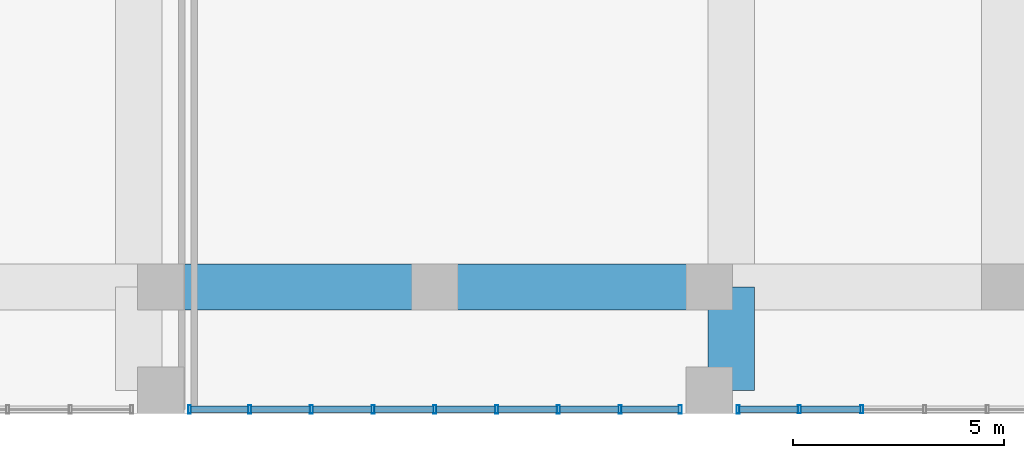
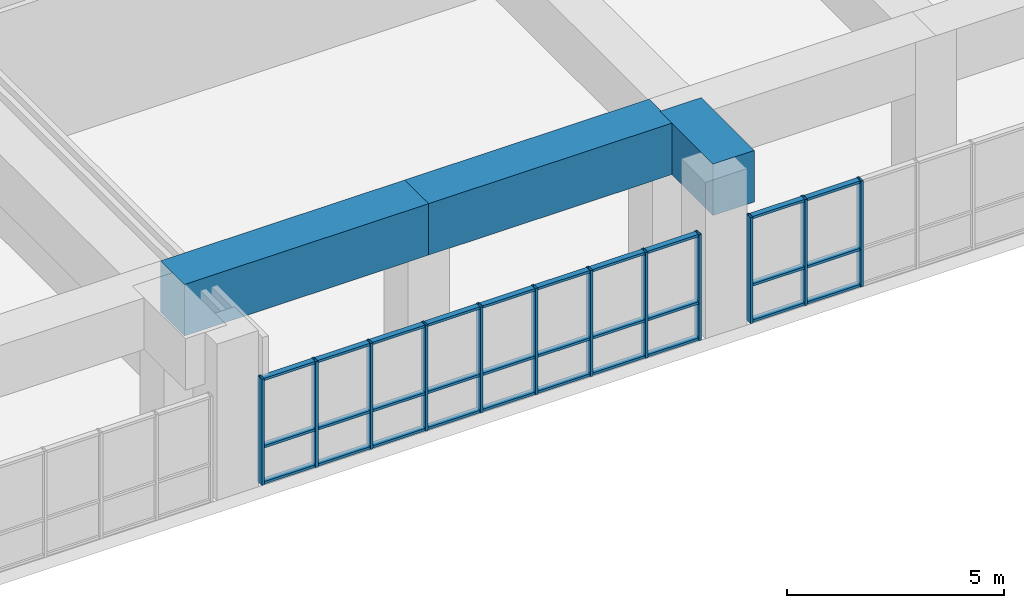
# One storey, part 6 of 28: 42 members, 3 beams, 2 elements without a shape of their own.
"""IFC4 building model written with IfcOpenShell, lengths in metres."""

from ifc_helpers import new_model, si_unit, direction, frame, origin, origin_2d, place, context, subcontext, project, spatial, rectangle, hollow_rectangle, extrude, source, transform, mapped, material, layer, layer_set, material_profile, profile_set, type_object, element, aggregate, save


model = new_model("IFC4")

# Units and contexts
model_context = context("Model", 3, precision=1e-05, world=origin(), true_north=direction((0.0, 1.0)))
body_context = subcontext(model_context, "Body", "Model", "MODEL_VIEW")
ifc_project = project(units=[si_unit("LENGTHUNIT", "METRE"), si_unit("AREAUNIT", "SQUARE_METRE"), si_unit("VOLUMEUNIT", "CUBIC_METRE"), si_unit("PLANEANGLEUNIT", "RADIAN"), si_unit("MASSUNIT", "GRAM", prefix="KILO")], contexts=[model_context])

# Site, building, storey
site_placement = place(None, origin())
site = spatial("IfcSite", under=ifc_project, at=site_placement, CompositionType="ELEMENT")
building_placement = place(site_placement, origin())
building = spatial("IfcBuilding", under=site, at=building_placement, Name="Saelheon Loggia Tower", CompositionType="ELEMENT")
storey_placement = place(building_placement, frame((0.0, 0.0, 15.0)))
storey = spatial("IfcBuildingStorey", under=building, at=storey_placement, Name="L04", CompositionType="ELEMENT", Elevation=15.0)

# Beams
ifc_material_1 = material(Name="Concrete C50/60", Category="concrete")
ifc_material_profile_1 = material_profile(ifc_material_1, rectangle(XDim=1.10009765625, YDim=1.449951171875, at=origin_2d()), Name="RC-1100x1450")
ifc_profile_set_1 = profile_set([ifc_material_profile_1], Name="Concrete C50/60")
beam_type = type_object("IfcBeamType", Name="Beam_Transfer_RC1100x1450", PredefinedType="BEAM", material=ifc_profile_set_1)
shared_shape_1 = source(origin(), body_context, "Body", "SweptSolid", [
    extrude(rectangle(XDim=1.10009765625, YDim=1.449951171875, at=origin_2d()), origin(), (0.0, 0.0, 1.0), 6.5),
])
for number, where, z_axis, x_axis, name in (
    (1, (31.5, 3.0, 3.675048828125), (1.0, 0.0, 0.0), (0.0, 1.0, 0.0), "BM-L04-EW-3-4"),
    (2, (38.0, 3.0, 3.675048828125), (1.0, 0.0, 0.0), (0.0, 1.0, 0.0), "BM-L04-EW-3-5"),
):
    element("IfcBeam", number, at=place(storey_placement, frame(where, z_axis=z_axis, x_axis=x_axis)), inside=storey, type_object=beam_type, Name=name, PredefinedType="BEAM", context=body_context, shape_type="MappedRepresentation", body=[
        mapped(shared_shape_1, transform((0.0, 0.0, 0.0), scale=1.0)),
    ])
shared_shape_2 = source(origin(), body_context, "Body", "SweptSolid", [
    extrude(rectangle(XDim=1.10009765625, YDim=1.449951171875, at=origin_2d()), origin(), (0.0, 0.0, 1.0), 2.449951171875),
])
beam_placement = place(storey_placement, frame((45.02001953125, 0.550048828125, 3.675048828125), z_axis=(0.0, 1.0, 0.0), x_axis=(-1.0, 0.0, 0.0)))
element("IfcBeam", 3, at=beam_placement, inside=storey, type_object=beam_type, Name="BM-L04-NS-45-1", PredefinedType="BEAM", context=body_context, shape_type="MappedRepresentation", body=[
    mapped(shared_shape_2, transform((0.0, 0.0, 0.0), scale=1.0)),
])

# Curtain wall, members
ifc_material_2 = material(Name="Aluminium 6063-T6 and Low-E IGU", Category="aluminium")
ifc_layer = layer(ifc_material_2, 0.179931640625)
ifc_layer_set = layer_set([ifc_layer], Name="Aluminium 6063-T6 and Low-E IGU")
curtain_wall_type = type_object("IfcCurtainWallType", Name="CW_PodiumClinic", PredefinedType="NOTDEFINED", material=ifc_layer_set)
curtain_wall_1_placement = place(storey_placement, origin())
curtain_wall_1 = element("IfcCurtainWall", 4, at=curtain_wall_1_placement, inside=storey, type_object=curtain_wall_type, Name="L04 South Clinic Curtain Wall 3", PredefinedType="NOTDEFINED")
ifc_material_3 = material(Name="Anodised Aluminium 6063-T6", Category="aluminium")
ifc_material_profile_2 = material_profile(ifc_material_3, hollow_rectangle(XDim=0.070068359375, YDim=0.14990234375, WallThickness=0.0048828125, at=origin_2d()), Name="RHS-150x70x5")
ifc_profile_set_2 = profile_set([ifc_material_profile_2], Name="Anodised Aluminium 6063-T6")
member_type_1 = type_object("IfcMemberType", Name="CW_PodiumClinic_Transom", PredefinedType="USERDEFINED", material=ifc_profile_set_2)
shared_shape_3 = source(origin(), body_context, "Body", "SweptSolid", [
    extrude(hollow_rectangle(XDim=0.070068359375, YDim=0.14990234375, WallThickness=0.0048828125, at=origin_2d()), origin(), (0.0, 0.0, 1.0), 1.4150390625),
])
member_1_placement = place(storey_placement, frame((46.669921875, 0.10009765625, 0.034912109375), z_axis=(1.0, 0.0, 0.0), x_axis=(0.0, 0.0, 1.0)))
member_1 = element("IfcMember", 5, at=member_1_placement, type_object=member_type_1, Name="CW1 transom 2.1", ObjectType="TRANSOM", PredefinedType="USERDEFINED", context=body_context, shape_type="MappedRepresentation", body=[
    mapped(shared_shape_3, transform((0.0, 0.0, 0.0), scale=1.0)),
])
member_2_placement = place(storey_placement, frame((46.669921875, 0.10009765625, 1.050048828125), z_axis=(1.0, 0.0, 0.0), x_axis=(0.0, 0.0, 1.0)))
member_2 = element("IfcMember", 6, at=member_2_placement, type_object=member_type_1, Name="CW1 transom 2.2", ObjectType="TRANSOM", PredefinedType="USERDEFINED", context=body_context, shape_type="MappedRepresentation", body=[
    mapped(shared_shape_3, transform((0.0, 0.0, 0.0), scale=1.0)),
])
member_3_placement = place(storey_placement, frame((46.669921875, 0.10009765625, 2.945068359375), z_axis=(1.0, 0.0, 0.0), x_axis=(0.0, 0.0, 1.0)))
member_3 = element("IfcMember", 7, at=member_3_placement, type_object=member_type_1, Name="CW1 transom 2.3", ObjectType="TRANSOM", PredefinedType="USERDEFINED", context=body_context, shape_type="MappedRepresentation", body=[
    mapped(shared_shape_3, transform((0.0, 0.0, 0.0), scale=1.0)),
])
shared_shape_4 = source(origin(), body_context, "Body", "SweptSolid", [
    extrude(hollow_rectangle(XDim=0.070068359375, YDim=0.14990234375, WallThickness=0.0048828125, at=origin_2d()), origin(), (0.0, 0.0, 1.0), 1.380126953125),
])
member_4_placement = place(storey_placement, frame((45.219970703125, 0.10009765625, 0.034912109375), z_axis=(1.0, 0.0, 0.0), x_axis=(0.0, 0.0, 1.0)))
member_4 = element("IfcMember", 8, at=member_4_placement, type_object=member_type_1, Name="CW1 transom 1.1", ObjectType="TRANSOM", PredefinedType="USERDEFINED", context=body_context, shape_type="MappedRepresentation", body=[
    mapped(shared_shape_4, transform((0.0, 0.0, 0.0), scale=1.0)),
])
member_5_placement = place(storey_placement, frame((45.219970703125, 0.10009765625, 1.050048828125), z_axis=(1.0, 0.0, 0.0), x_axis=(0.0, 0.0, 1.0)))
member_5 = element("IfcMember", 9, at=member_5_placement, type_object=member_type_1, Name="CW1 transom 1.2", ObjectType="TRANSOM", PredefinedType="USERDEFINED", context=body_context, shape_type="MappedRepresentation", body=[
    mapped(shared_shape_4, transform((0.0, 0.0, 0.0), scale=1.0)),
])
member_6_placement = place(storey_placement, frame((45.219970703125, 0.10009765625, 2.945068359375), z_axis=(1.0, 0.0, 0.0), x_axis=(0.0, 0.0, 1.0)))
member_6 = element("IfcMember", 10, at=member_6_placement, type_object=member_type_1, Name="CW1 transom 1.3", ObjectType="TRANSOM", PredefinedType="USERDEFINED", context=body_context, shape_type="MappedRepresentation", body=[
    mapped(shared_shape_4, transform((0.0, 0.0, 0.0), scale=1.0)),
])

curtain_wall_2_placement = place(storey_placement, origin())
curtain_wall_2 = element("IfcCurtainWall", 11, at=curtain_wall_2_placement, inside=storey, type_object=curtain_wall_type, Name="L04 South Clinic Curtain Wall 2", PredefinedType="NOTDEFINED")
shared_shape_5 = source(origin(), body_context, "Body", "SweptSolid", [
    extrude(hollow_rectangle(XDim=0.070068359375, YDim=0.14990234375, WallThickness=0.0048828125, at=origin_2d()), origin(), (0.0, 0.0, 1.0), 1.357421875),
])
member_7_placement = place(storey_placement, frame((32.219970703125, 0.10009765625, 0.034912109375), z_axis=(1.0, 0.0, 0.0), x_axis=(0.0, 0.0, 1.0)))
member_7 = element("IfcMember", 12, at=member_7_placement, type_object=member_type_1, Name="CW1 transom 1.1", ObjectType="TRANSOM", PredefinedType="USERDEFINED", context=body_context, shape_type="MappedRepresentation", body=[
    mapped(shared_shape_5, transform((0.0, 0.0, 0.0), scale=1.0)),
])
member_8_placement = place(storey_placement, frame((32.219970703125, 0.10009765625, 1.050048828125), z_axis=(1.0, 0.0, 0.0), x_axis=(0.0, 0.0, 1.0)))
member_8 = element("IfcMember", 13, at=member_8_placement, type_object=member_type_1, Name="CW1 transom 1.2", ObjectType="TRANSOM", PredefinedType="USERDEFINED", context=body_context, shape_type="MappedRepresentation", body=[
    mapped(shared_shape_5, transform((0.0, 0.0, 0.0), scale=1.0)),
])
member_9_placement = place(storey_placement, frame((32.219970703125, 0.10009765625, 2.945068359375), z_axis=(1.0, 0.0, 0.0), x_axis=(0.0, 0.0, 1.0)))
member_9 = element("IfcMember", 14, at=member_9_placement, type_object=member_type_1, Name="CW1 transom 1.3", ObjectType="TRANSOM", PredefinedType="USERDEFINED", context=body_context, shape_type="MappedRepresentation", body=[
    mapped(shared_shape_5, transform((0.0, 0.0, 0.0), scale=1.0)),
])
member_10_placement = place(storey_placement, frame((42.422607421875, 0.10009765625, 0.034912109375), z_axis=(1.0, 0.0, 0.0), x_axis=(0.0, 0.0, 1.0)))
member_10 = element("IfcMember", 15, at=member_10_placement, type_object=member_type_1, Name="CW1 transom 8.1", ObjectType="TRANSOM", PredefinedType="USERDEFINED", context=body_context, shape_type="MappedRepresentation", body=[
    mapped(shared_shape_5, transform((0.0, 0.0, 0.0), scale=1.0)),
])
member_11_placement = place(storey_placement, frame((42.422607421875, 0.10009765625, 1.050048828125), z_axis=(1.0, 0.0, 0.0), x_axis=(0.0, 0.0, 1.0)))
member_11 = element("IfcMember", 16, at=member_11_placement, type_object=member_type_1, Name="CW1 transom 8.2", ObjectType="TRANSOM", PredefinedType="USERDEFINED", context=body_context, shape_type="MappedRepresentation", body=[
    mapped(shared_shape_5, transform((0.0, 0.0, 0.0), scale=1.0)),
])
member_12_placement = place(storey_placement, frame((42.422607421875, 0.10009765625, 2.945068359375), z_axis=(1.0, 0.0, 0.0), x_axis=(0.0, 0.0, 1.0)))
member_12 = element("IfcMember", 17, at=member_12_placement, type_object=member_type_1, Name="CW1 transom 8.3", ObjectType="TRANSOM", PredefinedType="USERDEFINED", context=body_context, shape_type="MappedRepresentation", body=[
    mapped(shared_shape_5, transform((0.0, 0.0, 0.0), scale=1.0)),
])
shared_shape_6 = source(origin(), body_context, "Body", "SweptSolid", [
    extrude(hollow_rectangle(XDim=0.070068359375, YDim=0.14990234375, WallThickness=0.0048828125, at=origin_2d()), origin(), (0.0, 0.0, 1.0), 1.392578125),
])
member_13_placement = place(storey_placement, frame((33.6474609375, 0.10009765625, 0.034912109375), z_axis=(1.0, 0.0, 0.0), x_axis=(0.0, 0.0, 1.0)))
member_13 = element("IfcMember", 18, at=member_13_placement, type_object=member_type_1, Name="CW1 transom 2.1", ObjectType="TRANSOM", PredefinedType="USERDEFINED", context=body_context, shape_type="MappedRepresentation", body=[
    mapped(shared_shape_6, transform((0.0, 0.0, 0.0), scale=1.0)),
])
member_14_placement = place(storey_placement, frame((33.6474609375, 0.10009765625, 1.050048828125), z_axis=(1.0, 0.0, 0.0), x_axis=(0.0, 0.0, 1.0)))
member_14 = element("IfcMember", 19, at=member_14_placement, type_object=member_type_1, Name="CW1 transom 2.2", ObjectType="TRANSOM", PredefinedType="USERDEFINED", context=body_context, shape_type="MappedRepresentation", body=[
    mapped(shared_shape_6, transform((0.0, 0.0, 0.0), scale=1.0)),
])
member_15_placement = place(storey_placement, frame((33.6474609375, 0.10009765625, 2.945068359375), z_axis=(1.0, 0.0, 0.0), x_axis=(0.0, 0.0, 1.0)))
member_15 = element("IfcMember", 20, at=member_15_placement, type_object=member_type_1, Name="CW1 transom 2.3", ObjectType="TRANSOM", PredefinedType="USERDEFINED", context=body_context, shape_type="MappedRepresentation", body=[
    mapped(shared_shape_6, transform((0.0, 0.0, 0.0), scale=1.0)),
])
member_16_placement = place(storey_placement, frame((36.572509765625, 0.10009765625, 0.034912109375), z_axis=(1.0, 0.0, 0.0), x_axis=(0.0, 0.0, 1.0)))
member_16 = element("IfcMember", 21, at=member_16_placement, type_object=member_type_1, Name="CW1 transom 4.1", ObjectType="TRANSOM", PredefinedType="USERDEFINED", context=body_context, shape_type="MappedRepresentation", body=[
    mapped(shared_shape_6, transform((0.0, 0.0, 0.0), scale=1.0)),
])
member_17_placement = place(storey_placement, frame((36.572509765625, 0.10009765625, 1.050048828125), z_axis=(1.0, 0.0, 0.0), x_axis=(0.0, 0.0, 1.0)))
member_17 = element("IfcMember", 22, at=member_17_placement, type_object=member_type_1, Name="CW1 transom 4.2", ObjectType="TRANSOM", PredefinedType="USERDEFINED", context=body_context, shape_type="MappedRepresentation", body=[
    mapped(shared_shape_6, transform((0.0, 0.0, 0.0), scale=1.0)),
])
member_18_placement = place(storey_placement, frame((36.572509765625, 0.10009765625, 2.945068359375), z_axis=(1.0, 0.0, 0.0), x_axis=(0.0, 0.0, 1.0)))
member_18 = element("IfcMember", 23, at=member_18_placement, type_object=member_type_1, Name="CW1 transom 4.3", ObjectType="TRANSOM", PredefinedType="USERDEFINED", context=body_context, shape_type="MappedRepresentation", body=[
    mapped(shared_shape_6, transform((0.0, 0.0, 0.0), scale=1.0)),
])
member_19_placement = place(storey_placement, frame((38.034912109375, 0.10009765625, 0.034912109375), z_axis=(1.0, 0.0, 0.0), x_axis=(0.0, 0.0, 1.0)))
member_19 = element("IfcMember", 24, at=member_19_placement, type_object=member_type_1, Name="CW1 transom 5.1", ObjectType="TRANSOM", PredefinedType="USERDEFINED", context=body_context, shape_type="MappedRepresentation", body=[
    mapped(shared_shape_6, transform((0.0, 0.0, 0.0), scale=1.0)),
])
member_20_placement = place(storey_placement, frame((38.034912109375, 0.10009765625, 1.050048828125), z_axis=(1.0, 0.0, 0.0), x_axis=(0.0, 0.0, 1.0)))
member_20 = element("IfcMember", 25, at=member_20_placement, type_object=member_type_1, Name="CW1 transom 5.2", ObjectType="TRANSOM", PredefinedType="USERDEFINED", context=body_context, shape_type="MappedRepresentation", body=[
    mapped(shared_shape_6, transform((0.0, 0.0, 0.0), scale=1.0)),
])
member_21_placement = place(storey_placement, frame((38.034912109375, 0.10009765625, 2.945068359375), z_axis=(1.0, 0.0, 0.0), x_axis=(0.0, 0.0, 1.0)))
member_21 = element("IfcMember", 26, at=member_21_placement, type_object=member_type_1, Name="CW1 transom 5.3", ObjectType="TRANSOM", PredefinedType="USERDEFINED", context=body_context, shape_type="MappedRepresentation", body=[
    mapped(shared_shape_6, transform((0.0, 0.0, 0.0), scale=1.0)),
])
member_22_placement = place(storey_placement, frame((40.9599609375, 0.10009765625, 0.034912109375), z_axis=(1.0, 0.0, 0.0), x_axis=(0.0, 0.0, 1.0)))
member_22 = element("IfcMember", 27, at=member_22_placement, type_object=member_type_1, Name="CW1 transom 7.1", ObjectType="TRANSOM", PredefinedType="USERDEFINED", context=body_context, shape_type="MappedRepresentation", body=[
    mapped(shared_shape_6, transform((0.0, 0.0, 0.0), scale=1.0)),
])
member_23_placement = place(storey_placement, frame((40.9599609375, 0.10009765625, 1.050048828125), z_axis=(1.0, 0.0, 0.0), x_axis=(0.0, 0.0, 1.0)))
member_23 = element("IfcMember", 28, at=member_23_placement, type_object=member_type_1, Name="CW1 transom 7.2", ObjectType="TRANSOM", PredefinedType="USERDEFINED", context=body_context, shape_type="MappedRepresentation", body=[
    mapped(shared_shape_6, transform((0.0, 0.0, 0.0), scale=1.0)),
])
member_24_placement = place(storey_placement, frame((40.9599609375, 0.10009765625, 2.945068359375), z_axis=(1.0, 0.0, 0.0), x_axis=(0.0, 0.0, 1.0)))
member_24 = element("IfcMember", 29, at=member_24_placement, type_object=member_type_1, Name="CW1 transom 7.3", ObjectType="TRANSOM", PredefinedType="USERDEFINED", context=body_context, shape_type="MappedRepresentation", body=[
    mapped(shared_shape_6, transform((0.0, 0.0, 0.0), scale=1.0)),
])
shared_shape_7 = source(origin(), body_context, "Body", "SweptSolid", [
    extrude(hollow_rectangle(XDim=0.070068359375, YDim=0.14990234375, WallThickness=0.0048828125, at=origin_2d()), origin(), (0.0, 0.0, 1.0), 1.392333984375),
])
member_25_placement = place(storey_placement, frame((35.110107421875, 0.10009765625, 0.034912109375), z_axis=(1.0, 0.0, 0.0), x_axis=(0.0, 0.0, 1.0)))
member_25 = element("IfcMember", 30, at=member_25_placement, type_object=member_type_1, Name="CW1 transom 3.1", ObjectType="TRANSOM", PredefinedType="USERDEFINED", context=body_context, shape_type="MappedRepresentation", body=[
    mapped(shared_shape_7, transform((0.0, 0.0, 0.0), scale=1.0)),
])
member_26_placement = place(storey_placement, frame((35.110107421875, 0.10009765625, 1.050048828125), z_axis=(1.0, 0.0, 0.0), x_axis=(0.0, 0.0, 1.0)))
member_26 = element("IfcMember", 31, at=member_26_placement, type_object=member_type_1, Name="CW1 transom 3.2", ObjectType="TRANSOM", PredefinedType="USERDEFINED", context=body_context, shape_type="MappedRepresentation", body=[
    mapped(shared_shape_7, transform((0.0, 0.0, 0.0), scale=1.0)),
])
member_27_placement = place(storey_placement, frame((35.110107421875, 0.10009765625, 2.945068359375), z_axis=(1.0, 0.0, 0.0), x_axis=(0.0, 0.0, 1.0)))
member_27 = element("IfcMember", 32, at=member_27_placement, type_object=member_type_1, Name="CW1 transom 3.3", ObjectType="TRANSOM", PredefinedType="USERDEFINED", context=body_context, shape_type="MappedRepresentation", body=[
    mapped(shared_shape_7, transform((0.0, 0.0, 0.0), scale=1.0)),
])
member_28_placement = place(storey_placement, frame((39.49755859375, 0.10009765625, 0.034912109375), z_axis=(1.0, 0.0, 0.0), x_axis=(0.0, 0.0, 1.0)))
member_28 = element("IfcMember", 33, at=member_28_placement, type_object=member_type_1, Name="CW1 transom 6.1", ObjectType="TRANSOM", PredefinedType="USERDEFINED", context=body_context, shape_type="MappedRepresentation", body=[
    mapped(shared_shape_7, transform((0.0, 0.0, 0.0), scale=1.0)),
])
member_29_placement = place(storey_placement, frame((39.49755859375, 0.10009765625, 1.050048828125), z_axis=(1.0, 0.0, 0.0), x_axis=(0.0, 0.0, 1.0)))
member_29 = element("IfcMember", 34, at=member_29_placement, type_object=member_type_1, Name="CW1 transom 6.2", ObjectType="TRANSOM", PredefinedType="USERDEFINED", context=body_context, shape_type="MappedRepresentation", body=[
    mapped(shared_shape_7, transform((0.0, 0.0, 0.0), scale=1.0)),
])
member_30_placement = place(storey_placement, frame((39.49755859375, 0.10009765625, 2.945068359375), z_axis=(1.0, 0.0, 0.0), x_axis=(0.0, 0.0, 1.0)))
member_30 = element("IfcMember", 35, at=member_30_placement, type_object=member_type_1, Name="CW1 transom 6.3", ObjectType="TRANSOM", PredefinedType="USERDEFINED", context=body_context, shape_type="MappedRepresentation", body=[
    mapped(shared_shape_7, transform((0.0, 0.0, 0.0), scale=1.0)),
])
ifc_material_profile_3 = material_profile(ifc_material_3, hollow_rectangle(XDim=0.070068359375, YDim=0.199951171875, WallThickness=0.0048828125, at=origin_2d()), Name="RHS-200x70x5")
ifc_profile_set_3 = profile_set([ifc_material_profile_3], Name="Anodised Aluminium 6063-T6")
member_type_2 = type_object("IfcMemberType", Name="CW_PodiumClinic_Mullion", PredefinedType="MULLION", material=ifc_profile_set_3)
shared_shape_8 = source(origin(), body_context, "Body", "SweptSolid", [
    extrude(hollow_rectangle(XDim=0.070068359375, YDim=0.199951171875, WallThickness=0.0048828125, at=origin_2d()), origin(), (0.0, 0.0, 1.0), 2.97998046875),
])
member_31_placement = place(storey_placement, frame((32.18505859375, 0.10009765625, 0.0), z_axis=(0.0, 0.0, 1.0), x_axis=(1.0, 0.0, 0.0)))
member_31 = element("IfcMember", 36, at=member_31_placement, type_object=member_type_2, Name="CW1 mullion 1", PredefinedType="MULLION", context=body_context, shape_type="MappedRepresentation", body=[
    mapped(shared_shape_8, transform((0.0, 0.0, 0.0), scale=1.0)),
])
member_32_placement = place(storey_placement, frame((33.612548828125, 0.10009765625, 0.0), z_axis=(0.0, 0.0, 1.0), x_axis=(1.0, 0.0, 0.0)))
member_32 = element("IfcMember", 37, at=member_32_placement, type_object=member_type_2, Name="CW1 mullion 2", PredefinedType="MULLION", context=body_context, shape_type="MappedRepresentation", body=[
    mapped(shared_shape_8, transform((0.0, 0.0, 0.0), scale=1.0)),
])
member_33_placement = place(storey_placement, frame((35.074951171875, 0.10009765625, 0.0), z_axis=(0.0, 0.0, 1.0), x_axis=(1.0, 0.0, 0.0)))
member_33 = element("IfcMember", 38, at=member_33_placement, type_object=member_type_2, Name="CW1 mullion 3", PredefinedType="MULLION", context=body_context, shape_type="MappedRepresentation", body=[
    mapped(shared_shape_8, transform((0.0, 0.0, 0.0), scale=1.0)),
])
member_34_placement = place(storey_placement, frame((36.53759765625, 0.10009765625, 0.0), z_axis=(0.0, 0.0, 1.0), x_axis=(1.0, 0.0, 0.0)))
member_34 = element("IfcMember", 39, at=member_34_placement, type_object=member_type_2, Name="CW1 mullion 4", PredefinedType="MULLION", context=body_context, shape_type="MappedRepresentation", body=[
    mapped(shared_shape_8, transform((0.0, 0.0, 0.0), scale=1.0)),
])
member_35_placement = place(storey_placement, frame((38.0, 0.10009765625, 0.0), z_axis=(0.0, 0.0, 1.0), x_axis=(1.0, 0.0, 0.0)))
member_35 = element("IfcMember", 40, at=member_35_placement, type_object=member_type_2, Name="CW1 mullion 5", PredefinedType="MULLION", context=body_context, shape_type="MappedRepresentation", body=[
    mapped(shared_shape_8, transform((0.0, 0.0, 0.0), scale=1.0)),
])
member_36_placement = place(storey_placement, frame((39.46240234375, 0.10009765625, 0.0), z_axis=(0.0, 0.0, 1.0), x_axis=(1.0, 0.0, 0.0)))
member_36 = element("IfcMember", 41, at=member_36_placement, type_object=member_type_2, Name="CW1 mullion 6", PredefinedType="MULLION", context=body_context, shape_type="MappedRepresentation", body=[
    mapped(shared_shape_8, transform((0.0, 0.0, 0.0), scale=1.0)),
])
member_37_placement = place(storey_placement, frame((40.925048828125, 0.10009765625, 0.0), z_axis=(0.0, 0.0, 1.0), x_axis=(1.0, 0.0, 0.0)))
member_37 = element("IfcMember", 42, at=member_37_placement, type_object=member_type_2, Name="CW1 mullion 7", PredefinedType="MULLION", context=body_context, shape_type="MappedRepresentation", body=[
    mapped(shared_shape_8, transform((0.0, 0.0, 0.0), scale=1.0)),
])
member_38_placement = place(storey_placement, frame((42.387451171875, 0.10009765625, 0.0), z_axis=(0.0, 0.0, 1.0), x_axis=(1.0, 0.0, 0.0)))
member_38 = element("IfcMember", 43, at=member_38_placement, type_object=member_type_2, Name="CW1 mullion 8", PredefinedType="MULLION", context=body_context, shape_type="MappedRepresentation", body=[
    mapped(shared_shape_8, transform((0.0, 0.0, 0.0), scale=1.0)),
])
member_39_placement = place(storey_placement, frame((43.81494140625, 0.10009765625, 0.0), z_axis=(0.0, 0.0, 1.0), x_axis=(1.0, 0.0, 0.0)))
member_39 = element("IfcMember", 44, at=member_39_placement, type_object=member_type_2, Name="CW1 mullion 9", PredefinedType="MULLION", context=body_context, shape_type="MappedRepresentation", body=[
    mapped(shared_shape_8, transform((0.0, 0.0, 0.0), scale=1.0)),
])
aggregate(curtain_wall_2, [member_31, member_32, member_33, member_34, member_35, member_36, member_37, member_38, member_39, member_7, member_8, member_9, member_13, member_14, member_15, member_25, member_26, member_27, member_16, member_17, member_18, member_19, member_20, member_21, member_28, member_29, member_30, member_22, member_23, member_24, member_10, member_11, member_12])

# Member
member_40_placement = place(storey_placement, frame((45.18505859375, 0.10009765625, 0.0), z_axis=(0.0, 0.0, 1.0), x_axis=(1.0, 0.0, 0.0)))
member_40 = element("IfcMember", 45, at=member_40_placement, type_object=member_type_2, Name="CW1 mullion 1", PredefinedType="MULLION", context=body_context, shape_type="MappedRepresentation", body=[
    mapped(shared_shape_8, transform((0.0, 0.0, 0.0), scale=1.0)),
])

member_41_placement = place(storey_placement, frame((46.635009765625, 0.10009765625, 0.0), z_axis=(0.0, 0.0, 1.0), x_axis=(1.0, 0.0, 0.0)))
member_41 = element("IfcMember", 46, at=member_41_placement, type_object=member_type_2, Name="CW1 mullion 2", PredefinedType="MULLION", context=body_context, shape_type="MappedRepresentation", body=[
    mapped(shared_shape_8, transform((0.0, 0.0, 0.0), scale=1.0)),
])

member_42_placement = place(storey_placement, frame((48.1201171875, 0.10009765625, 0.0), z_axis=(0.0, 0.0, 1.0), x_axis=(1.0, 0.0, 0.0)))
member_42 = element("IfcMember", 47, at=member_42_placement, type_object=member_type_2, Name="CW1 mullion 3", PredefinedType="MULLION", context=body_context, shape_type="MappedRepresentation", body=[
    mapped(shared_shape_8, transform((0.0, 0.0, 0.0), scale=1.0)),
])

aggregate(curtain_wall_1, [member_40, member_41, member_42, member_4, member_5, member_6, member_1, member_2, member_3])

save(model, "model.ifc")
